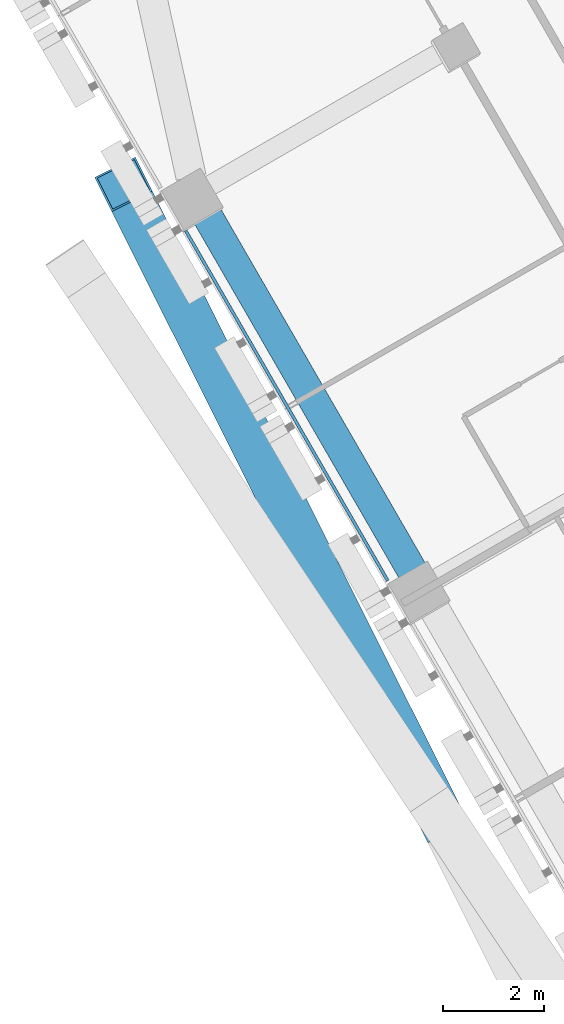
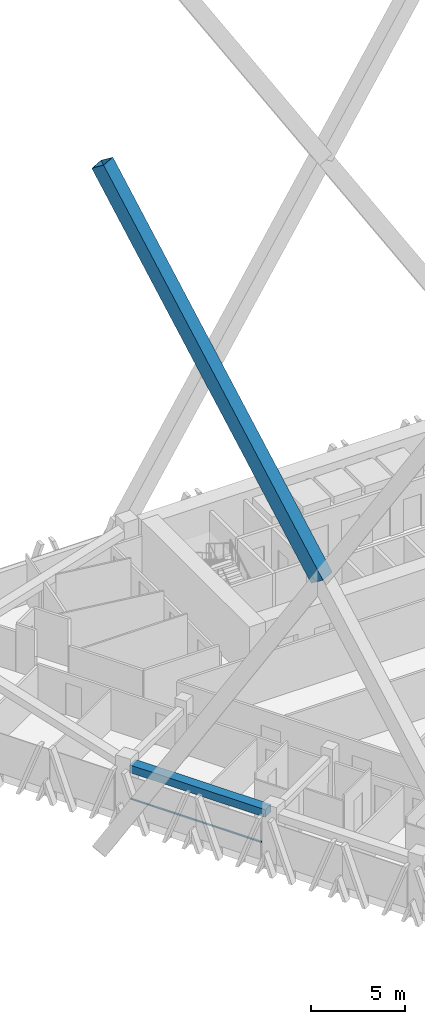
# One storey, part 5 of 24: 2 members, 1 beam, 1 element without a shape of its own.
"""IFC4 building model written with IfcOpenShell, lengths in metres."""

from ifc_helpers import new_model, si_unit, direction, frame, origin, origin_2d, place, context, subcontext, project, spatial, rectangle, hollow_rectangle, extrude, material, layer, layer_set, material_profile, profile_set, type_object, element, aggregate, save


model = new_model("IFC4")

# Units and contexts
model_context = context("Model", 3, precision=1e-05, world=origin(), true_north=direction((0.0, 1.0)))
body_context = subcontext(model_context, "Body", "Model", "MODEL_VIEW")
ifc_project = project(units=[si_unit("LENGTHUNIT", "METRE"), si_unit("AREAUNIT", "SQUARE_METRE"), si_unit("VOLUMEUNIT", "CUBIC_METRE"), si_unit("PLANEANGLEUNIT", "RADIAN"), si_unit("MASSUNIT", "GRAM", prefix="KILO")], contexts=[model_context])

# Site, building, storey
site_placement = place(None, origin())
site = spatial("IfcSite", under=ifc_project, at=site_placement, CompositionType="ELEMENT")
building_placement = place(site_placement, origin())
building = spatial("IfcBuilding", under=site, at=building_placement, Name="Altiplano Prism Tower", CompositionType="ELEMENT")
storey_placement = place(building_placement, frame((0.0, 0.0, 27.0)))
storey = spatial("IfcBuildingStorey", under=building, at=storey_placement, Name="L05", CompositionType="ELEMENT", Elevation=27.0)

# Curtain wall, member
ifc_material_1 = material(Name="Aluminium and glass", Category="aluminium")
ifc_layer = layer(ifc_material_1, 0.280029296875)
ifc_layer_set = layer_set([ifc_layer], Name="Aluminium and glass")
curtain_wall_type = type_object("IfcCurtainWallType", Name="CW1 typical co-living unitised curtain wall", PredefinedType="NOTDEFINED", material=ifc_layer_set)
curtain_wall_placement = place(storey_placement, origin())
curtain_wall = element("IfcCurtainWall", 1, at=curtain_wall_placement, inside=storey, type_object=curtain_wall_type, Name="CW1 curtain wall south-west face L05", PredefinedType="NOTDEFINED")
ifc_material_2 = material(Name="Aluminium", Category="aluminium")
ifc_material_profile_1 = material_profile(ifc_material_2, rectangle(XDim=0.06005859375, YDim=0.080078125, at=origin_2d()), Name="CW1 transom 80 x 60")
ifc_profile_set_1 = profile_set([ifc_material_profile_1], Name="Aluminium")
member_type_1 = type_object("IfcMemberType", Name="CW1 transom 80 x 60", PredefinedType="USERDEFINED", material=ifc_profile_set_1)
member_1_placement = place(storey_placement, frame((60.349365234375, 84.8359375, 1.10009765625), z_axis=(0.500012318566, -0.86601829154, 0.0), x_axis=(0.86601829154, 0.500012318566, 0.0)))
member_1 = element("IfcMember", 2, at=member_1_placement, type_object=member_type_1, Name="CW1 transom", ObjectType="TRANSOM", PredefinedType="USERDEFINED", context=body_context, shape_type="SweptSolid", body=[
    extrude(rectangle(XDim=0.06005859375, YDim=0.080078125, at=origin_2d()), origin(), (0.0, 0.0, 1.0), 8.019775390625),
])
aggregate(curtain_wall, [member_1])

# Beam
ifc_material_3 = material(Name="Concrete C60/75", Category="concrete")
ifc_material_profile_2 = material_profile(ifc_material_3, rectangle(XDim=0.60009765625, YDim=0.5, at=origin_2d()), Name="Edge beam 600x500")
ifc_profile_set_2 = profile_set([ifc_material_profile_2], Name="Concrete C60/75")
beam_type = type_object("IfcBeamType", Name="Edge beam 600x500", PredefinedType="SPANDREL", material=ifc_profile_set_2)
beam_placement = place(storey_placement, frame((60.6982421875, 85.26904296875, 2.85009765625), z_axis=(0.499992746786, -0.866029591389, 0.0), x_axis=(0.866029591389, 0.499992746786, 0.0)))
element("IfcBeam", 3, at=beam_placement, inside=storey, type_object=beam_type, Name="Edge beam P11-P12 L06", PredefinedType="SPANDREL", context=body_context, shape_type="SweptSolid", body=[
    extrude(rectangle(XDim=0.60009765625, YDim=0.5, at=origin_2d()), origin(), (0.0, 0.0, 1.0), 8.33984375),
])

# Member
ifc_material_4 = material(Name="Steel S355", Category="steel")
ifc_material_profile_3 = material_profile(ifc_material_4, hollow_rectangle(XDim=0.89990234375, YDim=0.89990234375, WallThickness=0.0400390625, at=origin_2d()), Name="Mega brace Box 900x900x40")
ifc_profile_set_3 = profile_set([ifc_material_profile_3], Name="Steel S355")
member_type_2 = type_object("IfcMemberType", Name="Mega brace Box 900x900x40", PredefinedType="BRACE", material=ifc_profile_set_3)
member_2_placement = place(storey_placement, frame((65.38818359375, 73.231201171875, 20.75), z_axis=(-0.243563317538, 0.486453284263, 0.839070981848), x_axis=(-0.894179508521, -0.447708617898, 0.0)))
element("IfcMember", 4, at=member_2_placement, inside=storey, type_object=member_type_2, Name="Mega brace 1.1.4", PredefinedType="BRACE", context=body_context, shape_type="SweptSolid", body=[
    extrude(hollow_rectangle(XDim=0.89990234375, YDim=0.89990234375, WallThickness=0.0400390625, at=origin_2d()), origin(), (0.0, 0.0, 1.0), 25.742919921875),
])

save(model, "model.ifc")
